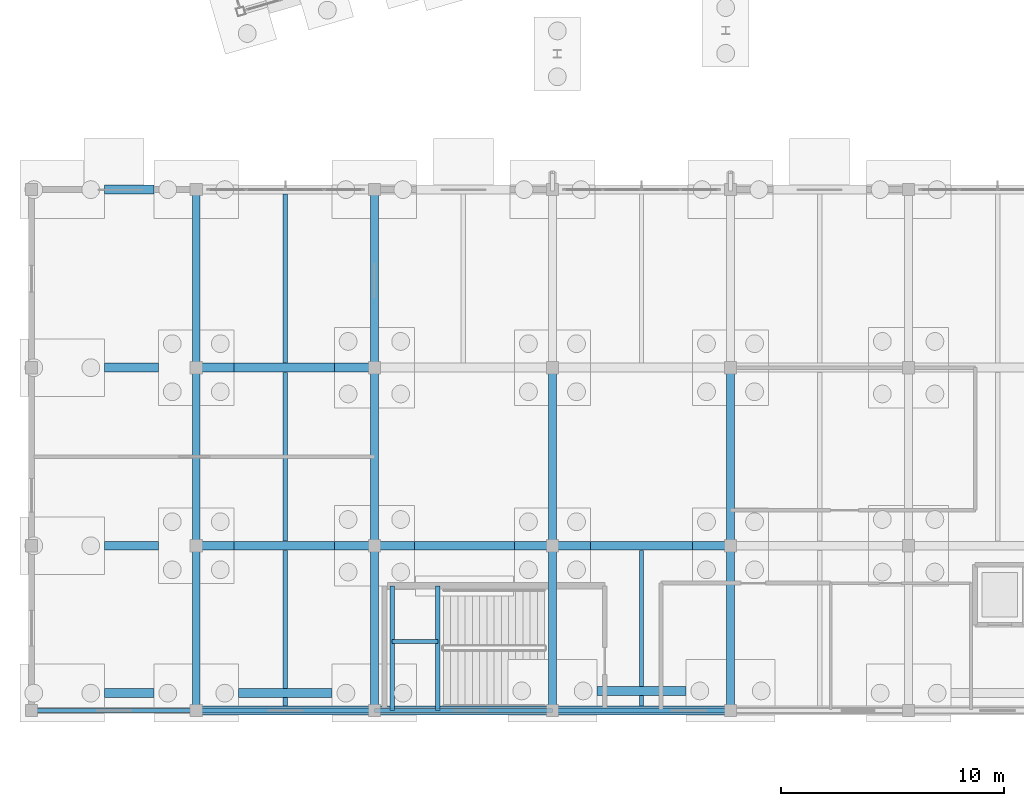
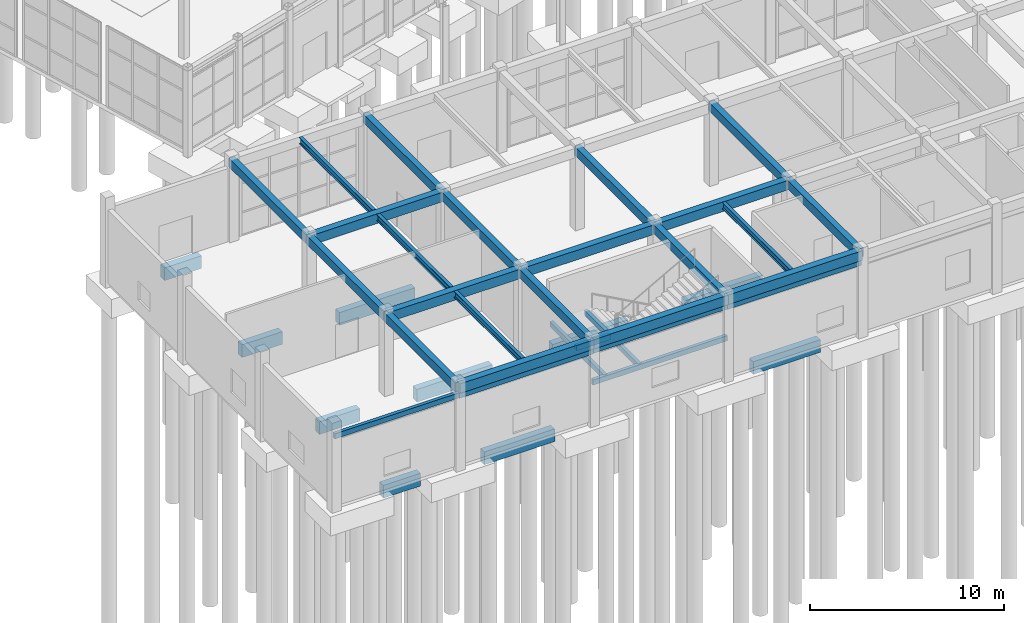
# One storey, part 18 of 90: 39 beams.
"""IFC4 building model written with IfcOpenShell, lengths in metres."""

from ifc_helpers import new_model, si_unit, direction, frame, origin, origin_2d, place, context, subcontext, project, spatial, rectangle, i_section, extrude, material, material_profile, profile_set, type_object, element, save


model = new_model("IFC4")

# Units and contexts
model_context = context("Model", 3, precision=1e-05, world=origin(), true_north=direction((0.0, 1.0)))
body_context = subcontext(model_context, "Body", "Model", "MODEL_VIEW")
ifc_project = project(units=[si_unit("LENGTHUNIT", "METRE"), si_unit("AREAUNIT", "SQUARE_METRE"), si_unit("VOLUMEUNIT", "CUBIC_METRE"), si_unit("PLANEANGLEUNIT", "RADIAN"), si_unit("MASSUNIT", "GRAM", prefix="KILO")], contexts=[model_context])

# Site, building, storey
site_placement = place(None, origin())
site = spatial("IfcSite", under=ifc_project, at=site_placement, CompositionType="ELEMENT")
building_placement = place(site_placement, origin())
building = spatial("IfcBuilding", under=site, at=building_placement, Name="Canggui Botanical Conservatory", CompositionType="ELEMENT")
storey_placement = place(building_placement, origin())
storey = spatial("IfcBuildingStorey", under=building, at=storey_placement, Name="L01", CompositionType="ELEMENT", Elevation=0.0)

# Beams
ifc_material_1 = material(Name="Concrete C35", Category="concrete")
ifc_material_profile_1 = material_profile(ifc_material_1, rectangle(XDim=0.39990234375, YDim=0.800048828125, at=origin_2d()), Name="RB 400x800")
ifc_profile_set_1 = profile_set([ifc_material_profile_1], Name="Concrete C35")
beam_type_1 = type_object("IfcBeamType", Name="BM-JCL01", PredefinedType="USERDEFINED", material=ifc_profile_set_1)
beam_1_placement = place(storey_placement, frame((13.8798828125, 11.3798828125, -0.679931640625), z_axis=(1.0, 0.0, 0.0), x_axis=(0.0, 1.0, 0.0)))
element("IfcBeam", 1, at=beam_1_placement, inside=storey, type_object=beam_type_1, Name="Foundation Grade Tie Beam JCL-001", ObjectType="GRADE BEAM", PredefinedType="USERDEFINED", context=body_context, shape_type="SweptSolid", body=[
    extrude(rectangle(XDim=0.39990234375, YDim=0.800048828125, at=origin_2d()), origin(), (0.0, 0.0, 1.0), 2.22021484375),
])
beam_2_placement = place(storey_placement, frame((19.89990234375, 11.3798828125, -0.679931640625), z_axis=(1.0, 0.0, 0.0), x_axis=(0.0, 1.0, 0.0)))
element("IfcBeam", 2, at=beam_2_placement, inside=storey, type_object=beam_type_1, Name="Foundation Grade Tie Beam JCL-002", ObjectType="GRADE BEAM", PredefinedType="USERDEFINED", context=body_context, shape_type="SweptSolid", body=[
    extrude(rectangle(XDim=0.39990234375, YDim=0.800048828125, at=origin_2d()), origin(), (0.0, 0.0, 1.0), 4.2001953125),
])
beam_3_placement = place(storey_placement, frame((36.0, 11.47998046875, -0.679931640625), z_axis=(1.0, 0.0, 0.0), x_axis=(0.0, 1.0, 0.0)))
element("IfcBeam", 3, at=beam_3_placement, inside=storey, type_object=beam_type_1, Name="Foundation Grade Tie Beam JCL-003", ObjectType="GRADE BEAM", PredefinedType="USERDEFINED", context=body_context, shape_type="SweptSolid", body=[
    extrude(rectangle(XDim=0.39990234375, YDim=0.800048828125, at=origin_2d()), origin(), (0.0, 0.0, 1.0), 4.0),
])
beam_4_placement = place(storey_placement, frame((13.8798828125, 18.0, -0.679931640625), z_axis=(1.0, 0.0, 0.0), x_axis=(0.0, 1.0, 0.0)))
element("IfcBeam", 4, at=beam_4_placement, inside=storey, type_object=beam_type_1, Name="Foundation Grade Tie Beam JCL-006", ObjectType="GRADE BEAM", PredefinedType="USERDEFINED", context=body_context, shape_type="SweptSolid", body=[
    extrude(rectangle(XDim=0.39990234375, YDim=0.800048828125, at=origin_2d()), origin(), (0.0, 0.0, 1.0), 2.420166015625),
])
for number, where, z_axis, x_axis, name in (
    (5, (19.699951171875, 18.0, -0.679931640625), (1.0, 0.0, 0.0), (0.0, 1.0, 0.0), "Foundation Grade Tie Beam JCL-007"),
    (6, (27.800048828125, 18.0, -0.679931640625), (1.0, 0.0, 0.0), (0.0, 1.0, 0.0), "Foundation Grade Tie Beam JCL-008"),
):
    element("IfcBeam", number, at=place(storey_placement, frame(where, z_axis=z_axis, x_axis=x_axis)), inside=storey, type_object=beam_type_1, Name=name, ObjectType="GRADE BEAM", PredefinedType="USERDEFINED", context=body_context, shape_type="SweptSolid", body=[
        extrude(rectangle(XDim=0.39990234375, YDim=0.800048828125, at=origin_2d()), origin(), (0.0, 0.0, 1.0), 4.5),
    ])
beam_5_placement = place(storey_placement, frame((35.699951171875, 18.0, -0.679931640625), z_axis=(1.0, 0.0, 0.0), x_axis=(0.0, 1.0, 0.0)))
element("IfcBeam", 7, at=beam_5_placement, inside=storey, type_object=beam_type_1, Name="Foundation Grade Tie Beam JCL-009", ObjectType="GRADE BEAM", PredefinedType="USERDEFINED", context=body_context, shape_type="SweptSolid", body=[
    extrude(rectangle(XDim=0.39990234375, YDim=0.800048828125, at=origin_2d()), origin(), (0.0, 0.0, 1.0), 4.60009765625),
])
beam_6_placement = place(storey_placement, frame((13.8798828125, 26.0, -0.679931640625), z_axis=(1.0, 0.0, 0.0), x_axis=(0.0, 1.0, 0.0)))
element("IfcBeam", 8, at=beam_6_placement, inside=storey, type_object=beam_type_1, Name="Foundation Grade Tie Beam JCL-013", ObjectType="GRADE BEAM", PredefinedType="USERDEFINED", context=body_context, shape_type="SweptSolid", body=[
    extrude(rectangle(XDim=0.39990234375, YDim=0.800048828125, at=origin_2d()), origin(), (0.0, 0.0, 1.0), 2.420166015625),
])
beam_7_placement = place(storey_placement, frame((19.699951171875, 26.0, -0.679931640625), z_axis=(1.0, 0.0, 0.0), x_axis=(0.0, 1.0, 0.0)))
element("IfcBeam", 9, at=beam_7_placement, inside=storey, type_object=beam_type_1, Name="Foundation Grade Tie Beam JCL-014", ObjectType="GRADE BEAM", PredefinedType="USERDEFINED", context=body_context, shape_type="SweptSolid", body=[
    extrude(rectangle(XDim=0.39990234375, YDim=0.800048828125, at=origin_2d()), origin(), (0.0, 0.0, 1.0), 4.5),
])
beam_8_placement = place(storey_placement, frame((13.8798828125, 34.0, -0.679931640625), z_axis=(1.0, 0.0, 0.0), x_axis=(0.0, 1.0, 0.0)))
element("IfcBeam", 10, at=beam_8_placement, inside=storey, type_object=beam_type_1, Name="Foundation Grade Tie Beam JCL-020", ObjectType="GRADE BEAM", PredefinedType="USERDEFINED", context=body_context, shape_type="SweptSolid", body=[
    extrude(rectangle(XDim=0.39990234375, YDim=0.800048828125, at=origin_2d()), origin(), (0.0, 0.0, 1.0), 2.22021484375),
])
ifc_material_2 = material(Name="Steel Q355B", Category="steel")
ifc_material_profile_2 = material_profile(ifc_material_2, i_section(OverallWidth=0.199951171875, OverallDepth=0.39990234375, WebThickness=0.008056640625, FlangeThickness=0.012939453125, FilletRadius=0.01611328125, at=origin_2d()), Name="HN 400x200x8x13")
ifc_profile_set_2 = profile_set([ifc_material_profile_2], Name="Steel Q355B")
beam_type_2 = type_object("IfcBeamType", Name="BM-JST06", PredefinedType="JOIST", material=ifc_profile_set_2)
beam_9_placement = place(storey_placement, frame((22.0, 10.804931640625, 4.9599609375), z_axis=(0.0, 1.0, 0.0), x_axis=(-1.0, 0.0, 0.0)))
element("IfcBeam", 11, at=beam_9_placement, inside=storey, type_object=beam_type_2, Name="Visitor Composite Steel Joist L01-1-1", PredefinedType="JOIST", context=body_context, shape_type="SweptSolid", body=[
    extrude(i_section(OverallWidth=0.199951171875, OverallDepth=0.39990234375, WebThickness=0.008056640625, FlangeThickness=0.012939453125, FilletRadius=0.01611328125, at=origin_2d()), origin(), (0.0, 0.0, 1.0), 6.989990234375),
])
for number, where, z_axis, x_axis, name in (
    (12, (22.0, 18.205078125, 4.9599609375), (0.0, 1.0, 0.0), (-1.0, 0.0, 0.0), "Visitor Composite Steel Joist L01-1-2"),
    (13, (22.0, 26.205078125, 4.9599609375), (0.0, 1.0, 0.0), (-1.0, 0.0, 0.0), "Visitor Composite Steel Joist L01-1-3"),
):
    element("IfcBeam", number, at=place(storey_placement, frame(where, z_axis=z_axis, x_axis=x_axis)), inside=storey, type_object=beam_type_2, Name=name, PredefinedType="JOIST", context=body_context, shape_type="SweptSolid", body=[
        extrude(i_section(OverallWidth=0.199951171875, OverallDepth=0.39990234375, WebThickness=0.008056640625, FlangeThickness=0.012939453125, FilletRadius=0.01611328125, at=origin_2d()), origin(), (0.0, 0.0, 1.0), 7.58984375),
    ])
beam_10_placement = place(storey_placement, frame((38.0, 10.804931640625, 4.9599609375), z_axis=(0.0, 1.0, 0.0), x_axis=(-1.0, 0.0, 0.0)))
element("IfcBeam", 14, at=beam_10_placement, inside=storey, type_object=beam_type_2, Name="Visitor Composite Steel Joist L01-3-1", PredefinedType="JOIST", context=body_context, shape_type="SweptSolid", body=[
    extrude(i_section(OverallWidth=0.199951171875, OverallDepth=0.39990234375, WebThickness=0.008056640625, FlangeThickness=0.012939453125, FilletRadius=0.01611328125, at=origin_2d()), origin(), (0.0, 0.0, 1.0), 6.989990234375),
])
ifc_material_profile_3 = material_profile(ifc_material_1, rectangle(XDim=0.39990234375, YDim=0.60009765625, at=origin_2d()), Name="RB 400x600")
ifc_profile_set_3 = profile_set([ifc_material_profile_3], Name="Concrete C35")
beam_type_3 = type_object("IfcBeamType", Name="BM-KL13", PredefinedType="BEAM", material=ifc_profile_set_3)
for number, where, z_axis, x_axis, name in (
    (15, (18.0, 10.60009765625, 4.860107421875), (1.0, 0.0, 0.0), (0.0, 1.0, 0.0), "Visitor Girder L01 Y10-1"),
    (16, (26.0, 10.60009765625, 4.860107421875), (1.0, 0.0, 0.0), (0.0, 1.0, 0.0), "Visitor Girder L01 Y10-2"),
    (17, (34.0, 10.60009765625, 4.860107421875), (1.0, 0.0, 0.0), (0.0, 1.0, 0.0), "Visitor Girder L01 Y10-3"),
    (18, (18.0, 18.0, 4.860107421875), (1.0, 0.0, 0.0), (0.0, 1.0, 0.0), "Visitor Girder L01 Y18-1"),
    (19, (26.0, 18.0, 4.860107421875), (1.0, 0.0, 0.0), (0.0, 1.0, 0.0), "Visitor Girder L01 Y18-2"),
    (20, (34.0, 18.0, 4.860107421875), (1.0, 0.0, 0.0), (0.0, 1.0, 0.0), "Visitor Girder L01 Y18-3"),
    (21, (18.0, 26.0, 4.860107421875), (1.0, 0.0, 0.0), (0.0, 1.0, 0.0), "Visitor Girder L01 Y26-1"),
):
    element("IfcBeam", number, at=place(storey_placement, frame(where, z_axis=z_axis, x_axis=x_axis)), inside=storey, type_object=beam_type_3, Name=name, PredefinedType="BEAM", context=body_context, shape_type="SweptSolid", body=[
        extrude(rectangle(XDim=0.39990234375, YDim=0.60009765625, at=origin_2d()), origin(), (0.0, 0.0, 1.0), 8.0),
    ])
ifc_material_profile_4 = material_profile(ifc_material_1, rectangle(XDim=0.35009765625, YDim=0.550048828125, at=origin_2d()), Name="RB 350x550")
ifc_profile_set_4 = profile_set([ifc_material_profile_4], Name="Concrete C35")
beam_type_4 = type_object("IfcBeamType", Name="BM-KL20", PredefinedType="BEAM", material=ifc_profile_set_4)
beam_11_placement = place(storey_placement, frame((18.0, 10.60009765625, 4.885009765625), z_axis=(0.0, 1.0, 0.0), x_axis=(-1.0, 0.0, 0.0)))
element("IfcBeam", 22, at=beam_11_placement, inside=storey, type_object=beam_type_4, Name="Visitor Girder L01 X18-1", PredefinedType="BEAM", context=body_context, shape_type="SweptSolid", body=[
    extrude(rectangle(XDim=0.35009765625, YDim=0.550048828125, at=origin_2d()), origin(), (0.0, 0.0, 1.0), 7.39990234375),
])
for number, where, z_axis, x_axis, name in (
    (23, (18.0, 18.0, 4.885009765625), (0.0, 1.0, 0.0), (-1.0, 0.0, 0.0), "Visitor Girder L01 X18-2"),
    (24, (18.0, 26.0, 4.885009765625), (0.0, 1.0, 0.0), (-1.0, 0.0, 0.0), "Visitor Girder L01 X18-3"),
):
    element("IfcBeam", number, at=place(storey_placement, frame(where, z_axis=z_axis, x_axis=x_axis)), inside=storey, type_object=beam_type_4, Name=name, PredefinedType="BEAM", context=body_context, shape_type="SweptSolid", body=[
        extrude(rectangle(XDim=0.35009765625, YDim=0.550048828125, at=origin_2d()), origin(), (0.0, 0.0, 1.0), 8.0),
    ])
beam_12_placement = place(storey_placement, frame((26.0, 10.60009765625, 4.885009765625), z_axis=(0.0, 1.0, 0.0), x_axis=(-1.0, 0.0, 0.0)))
element("IfcBeam", 25, at=beam_12_placement, inside=storey, type_object=beam_type_4, Name="Visitor Girder L01 X26-1", PredefinedType="BEAM", context=body_context, shape_type="SweptSolid", body=[
    extrude(rectangle(XDim=0.35009765625, YDim=0.550048828125, at=origin_2d()), origin(), (0.0, 0.0, 1.0), 7.39990234375),
])
for number, where, z_axis, x_axis, name in (
    (26, (26.0, 18.0, 4.885009765625), (0.0, 1.0, 0.0), (-1.0, 0.0, 0.0), "Visitor Girder L01 X26-2"),
    (27, (26.0, 26.0, 4.885009765625), (0.0, 1.0, 0.0), (-1.0, 0.0, 0.0), "Visitor Girder L01 X26-3"),
):
    element("IfcBeam", number, at=place(storey_placement, frame(where, z_axis=z_axis, x_axis=x_axis)), inside=storey, type_object=beam_type_4, Name=name, PredefinedType="BEAM", context=body_context, shape_type="SweptSolid", body=[
        extrude(rectangle(XDim=0.35009765625, YDim=0.550048828125, at=origin_2d()), origin(), (0.0, 0.0, 1.0), 8.0),
    ])
beam_13_placement = place(storey_placement, frame((34.0, 10.60009765625, 4.885009765625), z_axis=(0.0, 1.0, 0.0), x_axis=(-1.0, 0.0, 0.0)))
element("IfcBeam", 28, at=beam_13_placement, inside=storey, type_object=beam_type_4, Name="Visitor Girder L01 X34-1", PredefinedType="BEAM", context=body_context, shape_type="SweptSolid", body=[
    extrude(rectangle(XDim=0.35009765625, YDim=0.550048828125, at=origin_2d()), origin(), (0.0, 0.0, 1.0), 7.39990234375),
])
beam_14_placement = place(storey_placement, frame((34.0, 18.0, 4.885009765625), z_axis=(0.0, 1.0, 0.0), x_axis=(-1.0, 0.0, 0.0)))
element("IfcBeam", 29, at=beam_14_placement, inside=storey, type_object=beam_type_4, Name="Visitor Girder L01 X34-2", PredefinedType="BEAM", context=body_context, shape_type="SweptSolid", body=[
    extrude(rectangle(XDim=0.35009765625, YDim=0.550048828125, at=origin_2d()), origin(), (0.0, 0.0, 1.0), 8.0),
])
beam_15_placement = place(storey_placement, frame((42.0, 10.60009765625, 4.885009765625), z_axis=(0.0, 1.0, 0.0), x_axis=(-1.0, 0.0, 0.0)))
element("IfcBeam", 30, at=beam_15_placement, inside=storey, type_object=beam_type_4, Name="Visitor Girder L01 X42-1", PredefinedType="BEAM", context=body_context, shape_type="SweptSolid", body=[
    extrude(rectangle(XDim=0.35009765625, YDim=0.550048828125, at=origin_2d()), origin(), (0.0, 0.0, 1.0), 7.39990234375),
])
beam_16_placement = place(storey_placement, frame((42.0, 18.0, 4.885009765625), z_axis=(0.0, 1.0, 0.0), x_axis=(-1.0, 0.0, 0.0)))
element("IfcBeam", 31, at=beam_16_placement, inside=storey, type_object=beam_type_4, Name="Visitor Girder L01 X42-2", PredefinedType="BEAM", context=body_context, shape_type="SweptSolid", body=[
    extrude(rectangle(XDim=0.35009765625, YDim=0.550048828125, at=origin_2d()), origin(), (0.0, 0.0, 1.0), 8.0),
])
ifc_material_profile_5 = material_profile(ifc_material_1, rectangle(XDim=0.239990234375, YDim=0.360107421875, at=origin_2d()), Name="RB 240x360")
ifc_profile_set_5 = profile_set([ifc_material_profile_5], Name="Concrete C35")
beam_type_5 = type_object("IfcBeamType", Name="BM-LIN01", PredefinedType="LINTEL", material=ifc_profile_set_5)
for number, where, z_axis, x_axis, name in (
    (32, (18.0, 10.60009765625, 4.3798828125), (1.0, 0.0, 0.0), (0.0, 1.0, 0.0), "Masonry Portal Lintel QL-02"),
    (33, (34.0, 10.60009765625, 4.3798828125), (1.0, 0.0, 0.0), (0.0, 1.0, 0.0), "Masonry Portal Lintel QL-04"),
):
    element("IfcBeam", number, at=place(storey_placement, frame(where, z_axis=z_axis, x_axis=x_axis)), inside=storey, type_object=beam_type_5, Name=name, PredefinedType="LINTEL", context=body_context, shape_type="SweptSolid", body=[
        extrude(rectangle(XDim=0.239990234375, YDim=0.360107421875, at=origin_2d()), origin(), (0.0, 0.0, 1.0), 8.0),
    ])
ifc_material_profile_6 = material_profile(ifc_material_1, rectangle(XDim=0.199951171875, YDim=0.320068359375, at=origin_2d()), Name="RB 200x320")
ifc_profile_set_6 = profile_set([ifc_material_profile_6], Name="Concrete C35")
beam_type_6 = type_object("IfcBeamType", Name="BM-LIN02", PredefinedType="LINTEL", material=ifc_profile_set_6)
beam_17_placement = place(storey_placement, frame((10.60009765625, 10.60009765625, 4.3798828125), z_axis=(1.0, 0.0, 0.0), x_axis=(0.0, 1.0, 0.0)))
element("IfcBeam", 34, at=beam_17_placement, inside=storey, type_object=beam_type_6, Name="Masonry Portal Lintel QL-01", PredefinedType="LINTEL", context=body_context, shape_type="SweptSolid", body=[
    extrude(rectangle(XDim=0.199951171875, YDim=0.320068359375, at=origin_2d()), origin(), (0.0, 0.0, 1.0), 7.39990234375),
])
for number, where, z_axis, x_axis, name in (
    (35, (26.0, 10.60009765625, 4.3798828125), (1.0, 0.0, 0.0), (0.0, 1.0, 0.0), "Masonry Portal Lintel QL-03"),
    (36, (26.0, 10.60009765625, 2.3798828125), (1.0, 0.0, 0.0), (0.0, 1.0, 0.0), "ST-V2 Landing Header South L01"),
):
    element("IfcBeam", number, at=place(storey_placement, frame(where, z_axis=z_axis, x_axis=x_axis)), inside=storey, type_object=beam_type_6, Name=name, PredefinedType="LINTEL", context=body_context, shape_type="SweptSolid", body=[
        extrude(rectangle(XDim=0.199951171875, YDim=0.320068359375, at=origin_2d()), origin(), (0.0, 0.0, 1.0), 8.0),
    ])
for number, where, z_axis, x_axis, name in (
    (37, (26.800048828125, 10.60009765625, 2.3798828125), (0.0, 1.0, 0.0), (-1.0, 0.0, 0.0), "ST-V2 Landing Trimmer 1 L01"),
    (38, (28.8505859375, 10.60009765625, 2.3798828125), (0.0, 1.0, 0.0), (-1.0, 0.0, 0.0), "ST-V2 Landing Trimmer 2 L01"),
):
    element("IfcBeam", number, at=place(storey_placement, frame(where, z_axis=z_axis, x_axis=x_axis)), inside=storey, type_object=beam_type_6, Name=name, PredefinedType="LINTEL", context=body_context, shape_type="SweptSolid", body=[
        extrude(rectangle(XDim=0.199951171875, YDim=0.320068359375, at=origin_2d()), origin(), (0.0, 0.0, 1.0), 5.599853515625),
    ])
beam_18_placement = place(storey_placement, frame((26.800048828125, 13.699951171875, 2.3798828125), z_axis=(1.0, 0.0, 0.0), x_axis=(0.0, 1.0, 0.0)))
element("IfcBeam", 39, at=beam_18_placement, inside=storey, type_object=beam_type_6, Name="ST-V2 Landing Cross Tie L01", PredefinedType="LINTEL", context=body_context, shape_type="SweptSolid", body=[
    extrude(rectangle(XDim=0.199951171875, YDim=0.320068359375, at=origin_2d()), origin(), (0.0, 0.0, 1.0), 2.050537109375),
])

save(model, "model.ifc")
